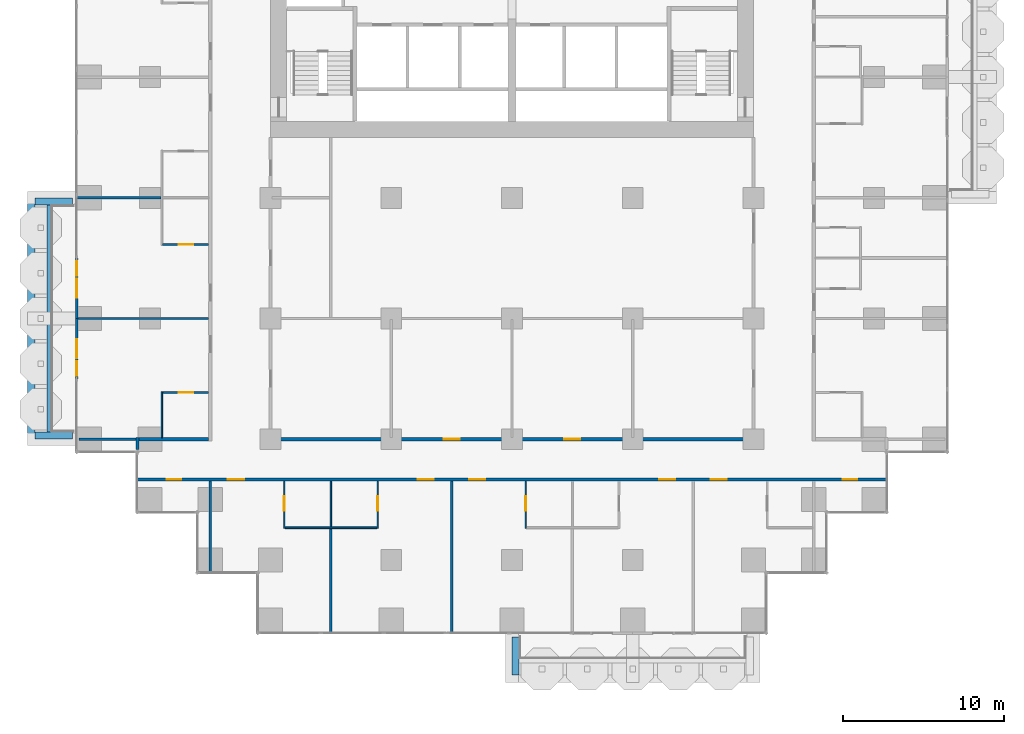
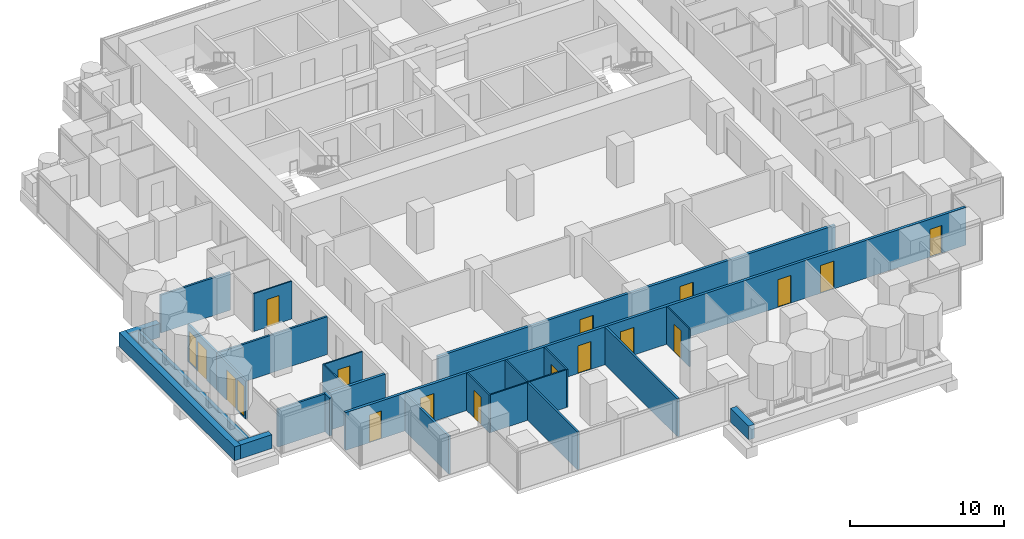
# One storey, part 11 of 19: 25 walls, 16 doors, 2 windows, 18 openings.
"""IFC4 building model written with IfcOpenShell, lengths in metres."""

from ifc_helpers import new_model, si_unit, direction, frame, frame_2d, origin, place, context, subcontext, project, spatial, rectangle, extrude, material, layer, layer_set, type_object, element, fill, save


model = new_model("IFC4")

# Units and contexts
model_context = context("Model", 3, precision=1e-05, world=origin(), true_north=direction((0.0, 1.0)))
body_context = subcontext(model_context, "Body", "Model", "MODEL_VIEW")
ifc_project = project(units=[si_unit("LENGTHUNIT", "METRE"), si_unit("AREAUNIT", "SQUARE_METRE"), si_unit("VOLUMEUNIT", "CUBIC_METRE"), si_unit("PLANEANGLEUNIT", "RADIAN"), si_unit("MASSUNIT", "GRAM", prefix="KILO")], contexts=[model_context])

# Site, building, storey
site_placement = place(None, origin())
site = spatial("IfcSite", under=ifc_project, at=site_placement, CompositionType="ELEMENT")
building_placement = place(site_placement, origin())
building = spatial("IfcBuilding", under=site, at=building_placement, Name="Pilkhan Gate Tower", CompositionType="ELEMENT")
storey_placement = place(building_placement, frame((0.0, 0.0, 79.10009765625)))
storey = spatial("IfcBuildingStorey", under=building, at=storey_placement, Name="L18", CompositionType="ELEMENT", Elevation=79.10009765625)

# Walls
ifc_material_1 = material(Name="Concrete C40/50", Category="concrete")
ifc_layer_1 = layer(ifc_material_1, 0.25)
ifc_layer_set_1 = layer_set([ifc_layer_1], Name="Balcony planter BP250")
wall_type_1 = type_object("IfcWallType", Name="Balcony planter BP250", PredefinedType="USERDEFINED", material=ifc_layer_set_1)
wall_1_placement = place(storey_placement, frame((46.22509765625, 52.949951171875, 0.0), z_axis=(0.0, 0.0, 1.0), x_axis=(0.0, 1.0, 0.0)))
element("IfcWall", 1, at=wall_1_placement, inside=storey, type_object=wall_type_1, Name="Balcony planter L18 W", ObjectType="BALCONY PLANTER", PredefinedType="USERDEFINED", context=body_context, shape_type="SweptSolid", body=[
    extrude(rectangle(XDim=14.10009765625, YDim=0.25, at=frame_2d((7.050048828125, 0.0))), origin(), (0.0, 0.0, 1.0), 1.0),
])
ifc_material_2 = material(Name="Board-marked Concrete C40/50", Category="concrete")
ifc_layer_2 = layer(ifc_material_2, 0.449951171875)
ifc_layer_set_2 = layer_set([ifc_layer_2], Name="Balcony planter lip BL450")
wall_type_2 = type_object("IfcWallType", Name="Balcony planter lip BL450", PredefinedType="USERDEFINED", material=ifc_layer_set_2)
wall_2_placement = place(storey_placement, frame((75.22509765625, 40.199951171875, 0.0), z_axis=(0.0, 0.0, 1.0), x_axis=(0.0, -1.0, 0.0)))
element("IfcWall", 2, at=wall_2_placement, inside=storey, type_object=wall_type_2, Name="Balcony planter L18 S", ObjectType="BALCONY PLANTER", PredefinedType="USERDEFINED", context=body_context, shape_type="SweptSolid", body=[
    extrude(rectangle(XDim=2.349853515625, YDim=0.449951171875, at=frame_2d((1.1748046875, 0.0))), origin(), (0.0, 0.0, 1.0), 1.099853515625),
])
wall_3_placement = place(storey_placement, frame((45.125, 52.5, 0.0), z_axis=(0.0, 0.0, 1.0), x_axis=(0.0, 1.0, 0.0)))
element("IfcWall", 3, at=wall_3_placement, inside=storey, type_object=wall_type_2, Name="Balcony planter L18 W", ObjectType="BALCONY PLANTER", PredefinedType="USERDEFINED", context=body_context, shape_type="SweptSolid", body=[
    extrude(rectangle(XDim=15.0, YDim=0.449951171875, at=frame_2d((7.5, 0.0))), origin(), (0.0, 0.0, 1.0), 1.099853515625),
])
for number, where, z_axis, x_axis, name in (
    (4, (47.699951171875, 52.72509765625, 0.0), (0.0, 0.0, 1.0), (-1.0, 0.0, 0.0), "Balcony planter L18 W"),
    (5, (47.699951171875, 67.27490234375, 0.0), (0.0, 0.0, 1.0), (-1.0, 0.0, 0.0), "Balcony planter L18 W"),
):
    element("IfcWall", number, at=place(storey_placement, frame(where, z_axis=z_axis, x_axis=x_axis)), inside=storey, type_object=wall_type_2, Name=name, ObjectType="BALCONY PLANTER", PredefinedType="USERDEFINED", context=body_context, shape_type="SweptSolid", body=[
        extrude(rectangle(XDim=2.349853515625, YDim=0.449951171875, at=frame_2d((1.1748046875, 0.0))), origin(), (0.0, 0.0, 1.0), 1.099853515625),
    ])

# Wall, openings, doors
ifc_material_3 = material(Name="Dense blockwork", Category="masonry")
ifc_layer_3 = layer(ifc_material_3, 0.199951171875)
ifc_layer_set_3 = layer_set([ifc_layer_3], Name="Corridor wall FW200")
wall_type_3 = type_object("IfcWallType", Name="Corridor wall FW200", PredefinedType="PARTITIONING", material=ifc_layer_set_3)
wall_4_placement = place(storey_placement, frame((51.735107421875, 50.0, 0.0), z_axis=(0.0, 0.0, 1.0), x_axis=(1.0, 0.0, 0.0)))
wall_4 = element("IfcWall", 6, at=wall_4_placement, inside=storey, type_object=wall_type_3, Name="Partition L18", PredefinedType="PARTITIONING", context=body_context, shape_type="SweptSolid", body=[
    extrude(rectangle(XDim=46.52978515625, YDim=0.199951171875, at=frame_2d((23.264892578125, 0.0))), origin(), (0.0, 0.0, 1.0), 3.0),
])
opening_1_placement = place(wall_4_placement, frame((5.614990234375, 0.0, 0.0)))
opening_1 = element("IfcOpeningElement", 7, at=opening_1_placement, cuts=wall_4, Name="Opening L18-06", PredefinedType="OPENING", context=body_context, shape_type="SweptSolid", body=[
    extrude(rectangle(XDim=1.0, YDim=2.199951171875, at=frame_2d((0.5, 1.10009765625))), frame((0.0, 0.10986328125, 0.0), z_axis=(0.0, -1.0, 0.0), x_axis=(1.0, 0.0, 0.0)), (0.0, 0.0, 1.0), 0.219970703125),
])
opening_2_placement = place(wall_4_placement, frame((17.4150390625, 0.0, 0.0)))
opening_2 = element("IfcOpeningElement", 8, at=opening_2_placement, cuts=wall_4, Name="Opening L18-08", PredefinedType="OPENING", context=body_context, shape_type="SweptSolid", body=[
    extrude(rectangle(XDim=1.0, YDim=2.199951171875, at=frame_2d((0.5, 1.10009765625))), frame((0.0, 0.10986328125, 0.0), z_axis=(0.0, -1.0, 0.0), x_axis=(1.0, 0.0, 0.0)), (0.0, 0.0, 1.0), 0.219970703125),
])
opening_3_placement = place(wall_4_placement, frame((20.614990234375, 0.0, 0.0)))
opening_3 = element("IfcOpeningElement", 9, at=opening_3_placement, cuts=wall_4, Name="Opening L18-10", PredefinedType="OPENING", context=body_context, shape_type="SweptSolid", body=[
    extrude(rectangle(XDim=1.0, YDim=2.199951171875, at=frame_2d((0.5, 1.10009765625))), frame((0.0, 0.10986328125, 0.0), z_axis=(0.0, -1.0, 0.0), x_axis=(1.0, 0.0, 0.0)), (0.0, 0.0, 1.0), 0.219970703125),
])
opening_4_placement = place(wall_4_placement, frame((32.4150390625, 0.0, 0.0)))
opening_4 = element("IfcOpeningElement", 10, at=opening_4_placement, cuts=wall_4, Name="Opening L18-12", PredefinedType="OPENING", context=body_context, shape_type="SweptSolid", body=[
    extrude(rectangle(XDim=1.0, YDim=2.199951171875, at=frame_2d((0.5, 1.10009765625))), frame((0.0, 0.10986328125, 0.0), z_axis=(0.0, -1.0, 0.0), x_axis=(1.0, 0.0, 0.0)), (0.0, 0.0, 1.0), 0.219970703125),
])
opening_5_placement = place(wall_4_placement, frame((35.614990234375, 0.0, 0.0)))
opening_5 = element("IfcOpeningElement", 11, at=opening_5_placement, cuts=wall_4, Name="Opening L18-14", PredefinedType="OPENING", context=body_context, shape_type="SweptSolid", body=[
    extrude(rectangle(XDim=1.0, YDim=2.199951171875, at=frame_2d((0.5, 1.10009765625))), frame((0.0, 0.10986328125, 0.0), z_axis=(0.0, -1.0, 0.0), x_axis=(1.0, 0.0, 0.0)), (0.0, 0.0, 1.0), 0.219970703125),
])
opening_6_placement = place(wall_4_placement, frame((1.800048828125, 0.0, 0.0)))
opening_6 = element("IfcOpeningElement", 12, at=opening_6_placement, cuts=wall_4, Name="Opening L18-43", PredefinedType="OPENING", context=body_context, shape_type="SweptSolid", body=[
    extrude(rectangle(XDim=0.89990234375, YDim=2.199951171875, at=frame_2d((0.449951171875, 1.10009765625))), frame((0.0, 0.10986328125, 0.0), z_axis=(0.0, -1.0, 0.0), x_axis=(1.0, 0.0, 0.0)), (0.0, 0.0, 1.0), 0.219970703125),
])
opening_7_placement = place(wall_4_placement, frame((43.81494140625, 0.0, 0.0)))
opening_7 = element("IfcOpeningElement", 13, at=opening_7_placement, cuts=wall_4, Name="Opening L18-44", PredefinedType="OPENING", context=body_context, shape_type="SweptSolid", body=[
    extrude(rectangle(XDim=0.89990234375, YDim=2.199951171875, at=frame_2d((0.449951171875, 1.10009765625))), frame((0.0, 0.10986328125, 0.0), z_axis=(0.0, -1.0, 0.0), x_axis=(1.0, 0.0, 0.0)), (0.0, 0.0, 1.0), 0.219970703125),
])
ifc_material_4 = material(Name="Timber flush door, 30 minute fire resisting", Category="wood")
door_type_1 = type_object("IfcDoorType", Name="Guest room door D01 1000x2200", OperationType="SINGLE_SWING_LEFT", PredefinedType="DOOR", material=ifc_material_4)
door_1_placement = place(opening_1_placement, origin())
door_1 = element("IfcDoor", 14, at=door_1_placement, inside=storey, type_object=door_type_1, Name="Guest room door", OperationType="SINGLE_SWING_LEFT", OverallHeight=2.199951171875, OverallWidth=1.0, PredefinedType="DOOR", context=body_context, shape_type="SweptSolid", body=[
    extrude(rectangle(XDim=1.0, YDim=2.199951171875, at=frame_2d((0.5, 1.10009765625))), frame((0.0, 0.02490234375, 0.0), z_axis=(0.0, -1.0, 0.0), x_axis=(1.0, 0.0, 0.0)), (0.0, 0.0, 1.0), 0.050048828125),
])
fill(opening_1, door_1)
door_2_placement = place(opening_2_placement, origin())
door_2 = element("IfcDoor", 15, at=door_2_placement, inside=storey, type_object=door_type_1, Name="Guest room door", OperationType="SINGLE_SWING_RIGHT", OverallHeight=2.199951171875, OverallWidth=1.0, PredefinedType="DOOR", context=body_context, shape_type="SweptSolid", body=[
    extrude(rectangle(XDim=1.0, YDim=2.199951171875, at=frame_2d((0.5, 1.10009765625))), frame((0.0, 0.02490234375, 0.0), z_axis=(0.0, -1.0, 0.0), x_axis=(1.0, 0.0, 0.0)), (0.0, 0.0, 1.0), 0.050048828125),
])
fill(opening_2, door_2)
door_3_placement = place(opening_3_placement, origin())
door_3 = element("IfcDoor", 16, at=door_3_placement, inside=storey, type_object=door_type_1, Name="Guest room door", OperationType="SINGLE_SWING_RIGHT", OverallHeight=2.199951171875, OverallWidth=1.0, PredefinedType="DOOR", context=body_context, shape_type="SweptSolid", body=[
    extrude(rectangle(XDim=1.0, YDim=2.199951171875, at=frame_2d((0.5, 1.10009765625))), frame((0.0, 0.02490234375, 0.0), z_axis=(0.0, -1.0, 0.0), x_axis=(1.0, 0.0, 0.0)), (0.0, 0.0, 1.0), 0.050048828125),
])
fill(opening_3, door_3)
door_4_placement = place(opening_4_placement, origin())
door_4 = element("IfcDoor", 17, at=door_4_placement, inside=storey, type_object=door_type_1, Name="Guest room door", OperationType="SINGLE_SWING_RIGHT", OverallHeight=2.199951171875, OverallWidth=1.0, PredefinedType="DOOR", context=body_context, shape_type="SweptSolid", body=[
    extrude(rectangle(XDim=1.0, YDim=2.199951171875, at=frame_2d((0.5, 1.10009765625))), frame((0.0, 0.02490234375, 0.0), z_axis=(0.0, -1.0, 0.0), x_axis=(1.0, 0.0, 0.0)), (0.0, 0.0, 1.0), 0.050048828125),
])
fill(opening_4, door_4)
door_5_placement = place(opening_5_placement, origin())
door_5 = element("IfcDoor", 18, at=door_5_placement, inside=storey, type_object=door_type_1, Name="Guest room door", OperationType="SINGLE_SWING_RIGHT", OverallHeight=2.199951171875, OverallWidth=1.0, PredefinedType="DOOR", context=body_context, shape_type="SweptSolid", body=[
    extrude(rectangle(XDim=1.0, YDim=2.199951171875, at=frame_2d((0.5, 1.10009765625))), frame((0.0, 0.02490234375, 0.0), z_axis=(0.0, -1.0, 0.0), x_axis=(1.0, 0.0, 0.0)), (0.0, 0.0, 1.0), 0.050048828125),
])
fill(opening_5, door_5)
ifc_material_5 = material(Name="Timber flush door, 60 minute fire resisting, self-closing", Category="wood")
door_type_2 = type_object("IfcDoorType", Name="Store door D05 900x2200", OperationType="SINGLE_SWING_LEFT", PredefinedType="DOOR", material=ifc_material_5)
door_6_placement = place(opening_6_placement, origin())
door_6 = element("IfcDoor", 19, at=door_6_placement, inside=storey, type_object=door_type_2, Name="Store door", OperationType="SINGLE_SWING_RIGHT", OverallHeight=2.199951171875, OverallWidth=0.89990234375, PredefinedType="DOOR", context=body_context, shape_type="SweptSolid", body=[
    extrude(rectangle(XDim=0.89990234375, YDim=2.199951171875, at=frame_2d((0.449951171875, 1.10009765625))), frame((0.0, 0.02490234375, 0.0), z_axis=(0.0, -1.0, 0.0), x_axis=(1.0, 0.0, 0.0)), (0.0, 0.0, 1.0), 0.050048828125),
])
fill(opening_6, door_6)
door_7_placement = place(opening_7_placement, origin())
door_7 = element("IfcDoor", 20, at=door_7_placement, inside=storey, type_object=door_type_2, Name="Store door", OperationType="SINGLE_SWING_LEFT", OverallHeight=2.199951171875, OverallWidth=0.89990234375, PredefinedType="DOOR", context=body_context, shape_type="SweptSolid", body=[
    extrude(rectangle(XDim=0.89990234375, YDim=2.199951171875, at=frame_2d((0.449951171875, 1.10009765625))), frame((0.0, 0.02490234375, 0.0), z_axis=(0.0, -1.0, 0.0), x_axis=(1.0, 0.0, 0.0)), (0.0, 0.0, 1.0), 0.050048828125),
])
fill(opening_7, door_7)

# Wall
wall_5_placement = place(storey_placement, frame((51.8349609375, 52.5, 0.0), z_axis=(0.0, 0.0, 1.0), x_axis=(1.0, 0.0, 0.0)))
element("IfcWall", 21, at=wall_5_placement, inside=storey, type_object=wall_type_3, Name="Partition L18", PredefinedType="PARTITIONING", context=body_context, shape_type="SweptSolid", body=[
    extrude(rectangle(XDim=4.31494140625, YDim=0.199951171875, at=frame_2d((2.157470703125, 0.0))), origin(), (0.0, 0.0, 1.0), 3.0),
])

# Wall, openings, doors
wall_6_placement = place(storey_placement, frame((60.10009765625, 52.5, 0.0), z_axis=(0.0, 0.0, 1.0), x_axis=(1.0, 0.0, 0.0)))
wall_6 = element("IfcWall", 22, at=wall_6_placement, inside=storey, type_object=wall_type_3, Name="Partition L18", PredefinedType="PARTITIONING", context=body_context, shape_type="SweptSolid", body=[
    extrude(rectangle(XDim=29.7998046875, YDim=0.199951171875, at=frame_2d((14.89990234375, 0.0))), origin(), (0.0, 0.0, 1.0), 3.0),
])
opening_8_placement = place(wall_6_placement, frame((10.64990234375, 0.0, 0.0)))
opening_8 = element("IfcOpeningElement", 23, at=opening_8_placement, cuts=wall_6, Name="Opening L18-48", PredefinedType="OPENING", context=body_context, shape_type="SweptSolid", body=[
    extrude(rectangle(XDim=1.0, YDim=2.199951171875, at=frame_2d((0.5, 1.10009765625))), frame((0.0, 0.10986328125, 0.0), z_axis=(0.0, -1.0, 0.0), x_axis=(1.0, 0.0, 0.0)), (0.0, 0.0, 1.0), 0.219970703125),
])
opening_9_placement = place(wall_6_placement, frame((18.14990234375, 0.0, 0.0)))
opening_9 = element("IfcOpeningElement", 24, at=opening_9_placement, cuts=wall_6, Name="Opening L18-49", PredefinedType="OPENING", context=body_context, shape_type="SweptSolid", body=[
    extrude(rectangle(XDim=1.0, YDim=2.199951171875, at=frame_2d((0.5, 1.10009765625))), frame((0.0, 0.10986328125, 0.0), z_axis=(0.0, -1.0, 0.0), x_axis=(1.0, 0.0, 0.0)), (0.0, 0.0, 1.0), 0.219970703125),
])
door_type_3 = type_object("IfcDoorType", Name="Room door D03 1000x2200", OperationType="SINGLE_SWING_LEFT", PredefinedType="DOOR", material=ifc_material_4)
door_8_placement = place(opening_8_placement, origin())
door_8 = element("IfcDoor", 25, at=door_8_placement, inside=storey, type_object=door_type_3, Name="Room door", OperationType="SINGLE_SWING_LEFT", OverallHeight=2.199951171875, OverallWidth=1.0, PredefinedType="DOOR", context=body_context, shape_type="SweptSolid", body=[
    extrude(rectangle(XDim=1.0, YDim=2.199951171875, at=frame_2d((0.5, 1.10009765625))), frame((0.0, 0.02490234375, 0.0), z_axis=(0.0, -1.0, 0.0), x_axis=(1.0, 0.0, 0.0)), (0.0, 0.0, 1.0), 0.050048828125),
])
fill(opening_8, door_8)
door_9_placement = place(opening_9_placement, origin())
door_9 = element("IfcDoor", 26, at=door_9_placement, inside=storey, type_object=door_type_3, Name="Room door", OperationType="SINGLE_SWING_LEFT", OverallHeight=2.199951171875, OverallWidth=1.0, PredefinedType="DOOR", context=body_context, shape_type="SweptSolid", body=[
    extrude(rectangle(XDim=1.0, YDim=2.199951171875, at=frame_2d((0.5, 1.10009765625))), frame((0.0, 0.02490234375, 0.0), z_axis=(0.0, -1.0, 0.0), x_axis=(1.0, 0.0, 0.0)), (0.0, 0.0, 1.0), 0.050048828125),
])
fill(opening_9, door_9)

# Wall
wall_7_placement = place(storey_placement, frame((51.735107421875, 51.85498046875, 0.0), z_axis=(0.0, 0.0, 1.0), x_axis=(0.0, 1.0, 0.0)))
element("IfcWall", 27, at=wall_7_placement, inside=storey, type_object=wall_type_3, Name="Partition L18", PredefinedType="PARTITIONING", context=body_context, shape_type="SweptSolid", body=[
    extrude(rectangle(XDim=0.7451171875, YDim=0.199951171875, at=frame_2d((0.37255859375, 0.0))), origin(), (0.0, 0.0, 1.0), 3.0),
])

# Wall, openings, door, window
ifc_material_6 = material(Name="Pale anodised aluminium, clear laminated glazing", Category="aluminium")
ifc_layer_4 = layer(ifc_material_6, 0.14990234375)
ifc_layer_set_4 = layer_set([ifc_layer_4], Name="Facade infill wall IW150")
wall_type_4 = type_object("IfcWallType", Name="Facade infill wall IW150", PredefinedType="SOLIDWALL", material=ifc_layer_set_4)
wall_8_placement = place(storey_placement, frame((47.955078125, 56.25, 0.0), z_axis=(0.0, 0.0, 1.0), x_axis=(0.0, 1.0, 0.0)))
wall_8 = element("IfcWall", 28, at=wall_8_placement, inside=storey, type_object=wall_type_4, Name="Infill wall L18 W", PredefinedType="SOLIDWALL", context=body_context, shape_type="SweptSolid", body=[
    extrude(rectangle(XDim=3.75, YDim=0.14990234375, at=frame_2d((1.875, 0.0))), origin(), (0.0, 0.0, 1.0), 3.0),
])
opening_10_placement = place(wall_8_placement, frame((0.1875, 0.0, 0.10009765625)))
opening_10 = element("IfcOpeningElement", 29, at=opening_10_placement, cuts=wall_8, Name="Opening W1", PredefinedType="OPENING", context=body_context, shape_type="SweptSolid", body=[
    extrude(rectangle(XDim=0.89990234375, YDim=2.39990234375, at=frame_2d((0.449951171875, 1.199951171875))), frame((0.0, 0.0849609375, 0.0), z_axis=(0.0, -1.0, 0.0), x_axis=(1.0, 0.0, 0.0)), (0.0, 0.0, 1.0), 0.169921875),
])
opening_11_placement = place(wall_8_placement, frame((1.27490234375, 0.0, 0.0)))
opening_11 = element("IfcOpeningElement", 30, at=opening_11_placement, cuts=wall_8, Name="Opening D1", PredefinedType="OPENING", context=body_context, shape_type="SweptSolid", body=[
    extrude(rectangle(XDim=1.199951171875, YDim=2.39990234375, at=frame_2d((0.60009765625, 1.199951171875))), frame((0.0, 0.0849609375, 0.0), z_axis=(0.0, -1.0, 0.0), x_axis=(1.0, 0.0, 0.0)), (0.0, 0.0, 1.0), 0.169921875),
])
ifc_material_7 = material(Name="Pale anodised aluminium, clear glazing", Category="aluminium")
door_type_4 = type_object("IfcDoorType", Name="Balcony door D1 1200x2400", OperationType="SINGLE_SWING_LEFT", PredefinedType="DOOR", material=ifc_material_7)
door_10_placement = place(opening_11_placement, origin())
door_10 = element("IfcDoor", 31, at=door_10_placement, inside=storey, type_object=door_type_4, Name="Balcony door L18", OperationType="SINGLE_SWING_LEFT", OverallHeight=2.39990234375, OverallWidth=1.199951171875, PredefinedType="DOOR", context=body_context, shape_type="SweptSolid", body=[
    extrude(rectangle(XDim=1.199951171875, YDim=2.39990234375, at=frame_2d((0.60009765625, 1.199951171875))), frame((0.0, 0.02490234375, 0.0), z_axis=(0.0, -1.0, 0.0), x_axis=(1.0, 0.0, 0.0)), (0.0, 0.0, 1.0), 0.050048828125),
])
fill(opening_11, door_10)
ifc_material_8 = material(Name="Pale anodised aluminium, clear double glazing", Category="aluminium")
window_type = type_object("IfcWindowType", Name="Window W1 900x2400", PartitioningType="SINGLE_PANEL", PredefinedType="WINDOW", material=ifc_material_8)
window_1_placement = place(opening_10_placement, origin())
window_1 = element("IfcWindow", 32, at=window_1_placement, inside=storey, type_object=window_type, Name="Window L18", OverallHeight=2.39990234375, OverallWidth=0.89990234375, PartitioningType="SINGLE_PANEL", PredefinedType="WINDOW", context=body_context, shape_type="SweptSolid", body=[
    extrude(rectangle(XDim=0.89990234375, YDim=2.39990234375, at=frame_2d((0.449951171875, 1.199951171875))), frame((0.0, 0.030029296875, 0.0), z_axis=(0.0, -1.0, 0.0), x_axis=(1.0, 0.0, 0.0)), (0.0, 0.0, 1.0), 0.06005859375),
])
fill(opening_10, window_1)

wall_9_placement = place(storey_placement, frame((47.955078125, 60.0, 0.0), z_axis=(0.0, 0.0, 1.0), x_axis=(0.0, 1.0, 0.0)))
wall_9 = element("IfcWall", 33, at=wall_9_placement, inside=storey, type_object=wall_type_4, Name="Infill wall L18 W", PredefinedType="SOLIDWALL", context=body_context, shape_type="SweptSolid", body=[
    extrude(rectangle(XDim=3.75, YDim=0.14990234375, at=frame_2d((1.875, 0.0))), origin(), (0.0, 0.0, 1.0), 3.0),
])
opening_12_placement = place(wall_9_placement, frame((1.27490234375, 0.0, 0.0)))
opening_12 = element("IfcOpeningElement", 34, at=opening_12_placement, cuts=wall_9, Name="Opening D1", PredefinedType="OPENING", context=body_context, shape_type="SweptSolid", body=[
    extrude(rectangle(XDim=1.199951171875, YDim=2.39990234375, at=frame_2d((0.60009765625, 1.199951171875))), frame((0.0, 0.0849609375, 0.0), z_axis=(0.0, -1.0, 0.0), x_axis=(1.0, 0.0, 0.0)), (0.0, 0.0, 1.0), 0.169921875),
])
opening_13_placement = place(wall_9_placement, frame((2.66259765625, 0.0, 0.10009765625)))
opening_13 = element("IfcOpeningElement", 35, at=opening_13_placement, cuts=wall_9, Name="Opening W1", PredefinedType="OPENING", context=body_context, shape_type="SweptSolid", body=[
    extrude(rectangle(XDim=0.89990234375, YDim=2.39990234375, at=frame_2d((0.449951171875, 1.199951171875))), frame((0.0, 0.0849609375, 0.0), z_axis=(0.0, -1.0, 0.0), x_axis=(1.0, 0.0, 0.0)), (0.0, 0.0, 1.0), 0.169921875),
])
door_11_placement = place(opening_12_placement, origin())
door_11 = element("IfcDoor", 36, at=door_11_placement, inside=storey, type_object=door_type_4, Name="Balcony door L18", OperationType="SINGLE_SWING_LEFT", OverallHeight=2.39990234375, OverallWidth=1.199951171875, PredefinedType="DOOR", context=body_context, shape_type="SweptSolid", body=[
    extrude(rectangle(XDim=1.199951171875, YDim=2.39990234375, at=frame_2d((0.60009765625, 1.199951171875))), frame((0.0, 0.02490234375, 0.0), z_axis=(0.0, -1.0, 0.0), x_axis=(1.0, 0.0, 0.0)), (0.0, 0.0, 1.0), 0.050048828125),
])
fill(opening_12, door_11)
window_2_placement = place(opening_13_placement, origin())
window_2 = element("IfcWindow", 37, at=window_2_placement, inside=storey, type_object=window_type, Name="Window L18", OverallHeight=2.39990234375, OverallWidth=0.89990234375, PartitioningType="SINGLE_PANEL", PredefinedType="WINDOW", context=body_context, shape_type="SweptSolid", body=[
    extrude(rectangle(XDim=0.89990234375, YDim=2.39990234375, at=frame_2d((0.449951171875, 1.199951171875))), frame((0.0, 0.030029296875, 0.0), z_axis=(0.0, -1.0, 0.0), x_axis=(1.0, 0.0, 0.0)), (0.0, 0.0, 1.0), 0.06005859375),
])
fill(opening_13, window_2)

# Walls
ifc_material_9 = material(Name="Blockwork partition, plastered both sides", Category="masonry")
ifc_layer_5 = layer(ifc_material_9, 0.14990234375)
ifc_layer_set_5 = layer_set([ifc_layer_5], Name="Partition PW150")
wall_type_5 = type_object("IfcWallType", Name="Partition PW150", PredefinedType="PARTITIONING", material=ifc_layer_set_5)
wall_10_placement = place(storey_placement, frame((48.10498046875, 52.5, 0.0), z_axis=(0.0, 0.0, 1.0), x_axis=(1.0, 0.0, 0.0)))
element("IfcWall", 38, at=wall_10_placement, inside=storey, type_object=wall_type_5, Name="Partition L18", PredefinedType="PARTITIONING", context=body_context, shape_type="SweptSolid", body=[
    extrude(rectangle(XDim=3.530029296875, YDim=0.14990234375, at=frame_2d((1.76513671875, 0.0))), origin(), (0.0, 0.0, 1.0), 3.0),
])
wall_11_placement = place(storey_placement, frame((48.0400390625, 60.0, 0.0), z_axis=(0.0, 0.0, 1.0), x_axis=(1.0, 0.0, 0.0)))
element("IfcWall", 39, at=wall_11_placement, inside=storey, type_object=wall_type_5, Name="Partition L18", PredefinedType="PARTITIONING", context=body_context, shape_type="SweptSolid", body=[
    extrude(rectangle(XDim=8.10986328125, YDim=0.14990234375, at=frame_2d((4.054931640625, 0.0))), origin(), (0.0, 0.0, 1.0), 3.0),
])
wall_12_placement = place(storey_placement, frame((47.985107421875, 67.5, 0.0), z_axis=(0.0, 0.0, 1.0), x_axis=(1.0, 0.0, 0.0)))
element("IfcWall", 40, at=wall_12_placement, inside=storey, type_object=wall_type_5, Name="Partition L18", PredefinedType="PARTITIONING", context=body_context, shape_type="SweptSolid", body=[
    extrude(rectangle(XDim=5.21484375, YDim=0.14990234375, at=frame_2d((2.607421875, 0.0))), origin(), (0.0, 0.0, 1.0), 3.0),
])
wall_13_placement = place(storey_placement, frame((56.25, 44.235107421875, 0.0), z_axis=(0.0, 0.0, 1.0), x_axis=(0.0, 1.0, 0.0)))
element("IfcWall", 41, at=wall_13_placement, inside=storey, type_object=wall_type_5, Name="Partition L18", PredefinedType="PARTITIONING", context=body_context, shape_type="SweptSolid", body=[
    extrude(rectangle(XDim=5.664794921875, YDim=0.14990234375, at=frame_2d((2.83251953125, 0.0))), origin(), (0.0, 0.0, 1.0), 3.0),
])
wall_14_placement = place(storey_placement, frame((63.75, 40.485107421875, 0.0), z_axis=(0.0, 0.0, 1.0), x_axis=(0.0, 1.0, 0.0)))
element("IfcWall", 42, at=wall_14_placement, inside=storey, type_object=wall_type_5, Name="Partition L18", PredefinedType="PARTITIONING", context=body_context, shape_type="SweptSolid", body=[
    extrude(rectangle(XDim=6.46484375, YDim=0.14990234375, at=frame_2d((3.232421875, 0.0))), origin(), (0.0, 0.0, 1.0), 3.0),
])
wall_15_placement = place(storey_placement, frame((71.25, 40.485107421875, 0.0), z_axis=(0.0, 0.0, 1.0), x_axis=(0.0, 1.0, 0.0)))
element("IfcWall", 43, at=wall_15_placement, inside=storey, type_object=wall_type_5, Name="Partition L18", PredefinedType="PARTITIONING", context=body_context, shape_type="SweptSolid", body=[
    extrude(rectangle(XDim=9.414794921875, YDim=0.14990234375, at=frame_2d((4.70751953125, 0.0))), origin(), (0.0, 0.0, 1.0), 3.0),
])
ifc_material_10 = material(Name="Moisture resistant board, tiled")
ifc_layer_6 = layer(ifc_material_10, 0.10009765625)
ifc_layer_set_6 = layer_set([ifc_layer_6], Name="Wet wall PW100")
wall_type_6 = type_object("IfcWallType", Name="Wet wall PW100", PredefinedType="PARTITIONING", material=ifc_layer_set_6)
wall_16_placement = place(storey_placement, frame((60.89990234375, 47.0, 0.0), z_axis=(0.0, 0.0, 1.0), x_axis=(1.0, 0.0, 0.0)))
element("IfcWall", 44, at=wall_16_placement, inside=storey, type_object=wall_type_6, Name="Partition L18", PredefinedType="PARTITIONING", context=body_context, shape_type="SweptSolid", body=[
    extrude(rectangle(XDim=5.7001953125, YDim=0.10009765625, at=frame_2d((2.85009765625, 0.0))), origin(), (0.0, 0.0, 1.0), 3.0),
])

# Wall, opening, door
wall_17_placement = place(storey_placement, frame((53.300048828125, 55.39990234375, 0.0), z_axis=(0.0, 0.0, 1.0), x_axis=(1.0, 0.0, 0.0)))
wall_17 = element("IfcWall", 45, at=wall_17_placement, inside=storey, type_object=wall_type_6, Name="Partition L18", PredefinedType="PARTITIONING", context=body_context, shape_type="SweptSolid", body=[
    extrude(rectangle(XDim=2.849853515625, YDim=0.10009765625, at=frame_2d((1.4248046875, 0.0))), origin(), (0.0, 0.0, 1.0), 3.0),
])
opening_14_placement = place(wall_17_placement, frame((1.0, 0.0, 0.0)))
opening_14 = element("IfcOpeningElement", 46, at=opening_14_placement, cuts=wall_17, Name="Opening L18-17", PredefinedType="OPENING", context=body_context, shape_type="SweptSolid", body=[
    extrude(rectangle(XDim=0.89990234375, YDim=2.199951171875, at=frame_2d((0.449951171875, 1.10009765625))), frame((0.0, 0.06005859375, 0.0), z_axis=(0.0, -1.0, 0.0), x_axis=(1.0, 0.0, 0.0)), (0.0, 0.0, 1.0), 0.1201171875),
])
ifc_material_11 = material(Name="Timber flush door", Category="wood")
door_type_5 = type_object("IfcDoorType", Name="Bathroom door D02 900x2200", OperationType="SINGLE_SWING_RIGHT", PredefinedType="DOOR", material=ifc_material_11)
door_12_placement = place(opening_14_placement, origin())
door_12 = element("IfcDoor", 47, at=door_12_placement, inside=storey, type_object=door_type_5, Name="Bathroom door", OperationType="SINGLE_SWING_RIGHT", OverallHeight=2.199951171875, OverallWidth=0.89990234375, PredefinedType="DOOR", context=body_context, shape_type="SweptSolid", body=[
    extrude(rectangle(XDim=0.89990234375, YDim=2.199951171875, at=frame_2d((0.449951171875, 1.10009765625))), frame((0.0, 0.02490234375, 0.0), z_axis=(0.0, -1.0, 0.0), x_axis=(1.0, 0.0, 0.0)), (0.0, 0.0, 1.0), 0.050048828125),
])
fill(opening_14, door_12)

wall_18_placement = place(storey_placement, frame((53.300048828125, 64.60009765625, 0.0), z_axis=(0.0, 0.0, 1.0), x_axis=(1.0, 0.0, 0.0)))
wall_18 = element("IfcWall", 48, at=wall_18_placement, inside=storey, type_object=wall_type_6, Name="Partition L18", PredefinedType="PARTITIONING", context=body_context, shape_type="SweptSolid", body=[
    extrude(rectangle(XDim=2.849853515625, YDim=0.10009765625, at=frame_2d((1.4248046875, 0.0))), origin(), (0.0, 0.0, 1.0), 3.0),
])
opening_15_placement = place(wall_18_placement, frame((1.0, 0.0, 0.0)))
opening_15 = element("IfcOpeningElement", 49, at=opening_15_placement, cuts=wall_18, Name="Opening L18-19", PredefinedType="OPENING", context=body_context, shape_type="SweptSolid", body=[
    extrude(rectangle(XDim=0.89990234375, YDim=2.199951171875, at=frame_2d((0.449951171875, 1.10009765625))), frame((0.0, 0.06005859375, 0.0), z_axis=(0.0, -1.0, 0.0), x_axis=(1.0, 0.0, 0.0)), (0.0, 0.0, 1.0), 0.1201171875),
])
door_13_placement = place(opening_15_placement, origin())
door_13 = element("IfcDoor", 50, at=door_13_placement, inside=storey, type_object=door_type_5, Name="Bathroom door", OperationType="SINGLE_SWING_RIGHT", OverallHeight=2.199951171875, OverallWidth=0.89990234375, PredefinedType="DOOR", context=body_context, shape_type="SweptSolid", body=[
    extrude(rectangle(XDim=0.89990234375, YDim=2.199951171875, at=frame_2d((0.449951171875, 1.10009765625))), frame((0.0, 0.02490234375, 0.0), z_axis=(0.0, -1.0, 0.0), x_axis=(1.0, 0.0, 0.0)), (0.0, 0.0, 1.0), 0.050048828125),
])
fill(opening_15, door_13)

# Wall
wall_19_placement = place(storey_placement, frame((53.25, 52.60009765625, 0.0), z_axis=(0.0, 0.0, 1.0), x_axis=(0.0, 1.0, 0.0)))
element("IfcWall", 51, at=wall_19_placement, inside=storey, type_object=wall_type_6, Name="Partition L18", PredefinedType="PARTITIONING", context=body_context, shape_type="SweptSolid", body=[
    extrude(rectangle(XDim=2.849853515625, YDim=0.10009765625, at=frame_2d((1.4248046875, 0.0))), origin(), (0.0, 0.0, 1.0), 3.0),
])

# Wall, opening, door
wall_20_placement = place(storey_placement, frame((60.85009765625, 46.949951171875, 0.0), z_axis=(0.0, 0.0, 1.0), x_axis=(0.0, 1.0, 0.0)))
wall_20 = element("IfcWall", 52, at=wall_20_placement, inside=storey, type_object=wall_type_6, Name="Partition L18", PredefinedType="PARTITIONING", context=body_context, shape_type="SweptSolid", body=[
    extrude(rectangle(XDim=2.949951171875, YDim=0.10009765625, at=frame_2d((1.47509765625, 0.0))), origin(), (0.0, 0.0, 1.0), 3.0),
])
opening_16_placement = place(wall_20_placement, frame((1.10009765625, 0.0, 0.0)))
opening_16 = element("IfcOpeningElement", 53, at=opening_16_placement, cuts=wall_20, Name="Opening L18-07", PredefinedType="OPENING", context=body_context, shape_type="SweptSolid", body=[
    extrude(rectangle(XDim=0.89990234375, YDim=2.199951171875, at=frame_2d((0.449951171875, 1.10009765625))), frame((0.0, 0.06005859375, 0.0), z_axis=(0.0, -1.0, 0.0), x_axis=(1.0, 0.0, 0.0)), (0.0, 0.0, 1.0), 0.1201171875),
])
door_14_placement = place(opening_16_placement, origin())
door_14 = element("IfcDoor", 54, at=door_14_placement, inside=storey, type_object=door_type_5, Name="Bathroom door", OperationType="SINGLE_SWING_RIGHT", OverallHeight=2.199951171875, OverallWidth=0.89990234375, PredefinedType="DOOR", context=body_context, shape_type="SweptSolid", body=[
    extrude(rectangle(XDim=0.89990234375, YDim=2.199951171875, at=frame_2d((0.449951171875, 1.10009765625))), frame((0.0, 0.02490234375, 0.0), z_axis=(0.0, -1.0, 0.0), x_axis=(1.0, 0.0, 0.0)), (0.0, 0.0, 1.0), 0.050048828125),
])
fill(opening_16, door_14)

# Wall
wall_21_placement = place(storey_placement, frame((63.75, 47.050048828125, 0.0), z_axis=(0.0, 0.0, 1.0), x_axis=(0.0, 1.0, 0.0)))
element("IfcWall", 55, at=wall_21_placement, inside=storey, type_object=wall_type_6, Name="Partition L18", PredefinedType="PARTITIONING", context=body_context, shape_type="SweptSolid", body=[
    extrude(rectangle(XDim=2.849853515625, YDim=0.10009765625, at=frame_2d((1.4248046875, 0.0))), origin(), (0.0, 0.0, 1.0), 3.0),
])

# Wall, opening, door
wall_22_placement = place(storey_placement, frame((66.64990234375, 46.949951171875, 0.0), z_axis=(0.0, 0.0, 1.0), x_axis=(0.0, 1.0, 0.0)))
wall_22 = element("IfcWall", 56, at=wall_22_placement, inside=storey, type_object=wall_type_6, Name="Partition L18", PredefinedType="PARTITIONING", context=body_context, shape_type="SweptSolid", body=[
    extrude(rectangle(XDim=2.949951171875, YDim=0.10009765625, at=frame_2d((1.47509765625, 0.0))), origin(), (0.0, 0.0, 1.0), 3.0),
])
opening_17_placement = place(wall_22_placement, frame((1.10009765625, 0.0, 0.0)))
opening_17 = element("IfcOpeningElement", 57, at=opening_17_placement, cuts=wall_22, Name="Opening L18-09", PredefinedType="OPENING", context=body_context, shape_type="SweptSolid", body=[
    extrude(rectangle(XDim=0.89990234375, YDim=2.199951171875, at=frame_2d((0.449951171875, 1.10009765625))), frame((0.0, 0.06005859375, 0.0), z_axis=(0.0, -1.0, 0.0), x_axis=(1.0, 0.0, 0.0)), (0.0, 0.0, 1.0), 0.1201171875),
])
door_15_placement = place(opening_17_placement, origin())
door_15 = element("IfcDoor", 58, at=door_15_placement, inside=storey, type_object=door_type_5, Name="Bathroom door", OperationType="SINGLE_SWING_RIGHT", OverallHeight=2.199951171875, OverallWidth=0.89990234375, PredefinedType="DOOR", context=body_context, shape_type="SweptSolid", body=[
    extrude(rectangle(XDim=0.89990234375, YDim=2.199951171875, at=frame_2d((0.449951171875, 1.10009765625))), frame((0.0, 0.02490234375, 0.0), z_axis=(0.0, -1.0, 0.0), x_axis=(1.0, 0.0, 0.0)), (0.0, 0.0, 1.0), 0.050048828125),
])
fill(opening_17, door_15)

wall_23_placement = place(storey_placement, frame((75.85009765625, 46.949951171875, 0.0), z_axis=(0.0, 0.0, 1.0), x_axis=(0.0, 1.0, 0.0)))
wall_23 = element("IfcWall", 59, at=wall_23_placement, inside=storey, type_object=wall_type_6, Name="Partition L18", PredefinedType="PARTITIONING", context=body_context, shape_type="SweptSolid", body=[
    extrude(rectangle(XDim=2.949951171875, YDim=0.10009765625, at=frame_2d((1.47509765625, 0.0))), origin(), (0.0, 0.0, 1.0), 3.0),
])
opening_18_placement = place(wall_23_placement, frame((1.10009765625, 0.0, 0.0)))
opening_18 = element("IfcOpeningElement", 60, at=opening_18_placement, cuts=wall_23, Name="Opening L18-11", PredefinedType="OPENING", context=body_context, shape_type="SweptSolid", body=[
    extrude(rectangle(XDim=0.89990234375, YDim=2.199951171875, at=frame_2d((0.449951171875, 1.10009765625))), frame((0.0, 0.06005859375, 0.0), z_axis=(0.0, -1.0, 0.0), x_axis=(1.0, 0.0, 0.0)), (0.0, 0.0, 1.0), 0.1201171875),
])
door_16_placement = place(opening_18_placement, origin())
door_16 = element("IfcDoor", 61, at=door_16_placement, inside=storey, type_object=door_type_5, Name="Bathroom door", OperationType="SINGLE_SWING_RIGHT", OverallHeight=2.199951171875, OverallWidth=0.89990234375, PredefinedType="DOOR", context=body_context, shape_type="SweptSolid", body=[
    extrude(rectangle(XDim=0.89990234375, YDim=2.199951171875, at=frame_2d((0.449951171875, 1.10009765625))), frame((0.0, 0.02490234375, 0.0), z_axis=(0.0, -1.0, 0.0), x_axis=(1.0, 0.0, 0.0)), (0.0, 0.0, 1.0), 0.050048828125),
])
fill(opening_18, door_16)

save(model, "model.ifc")
